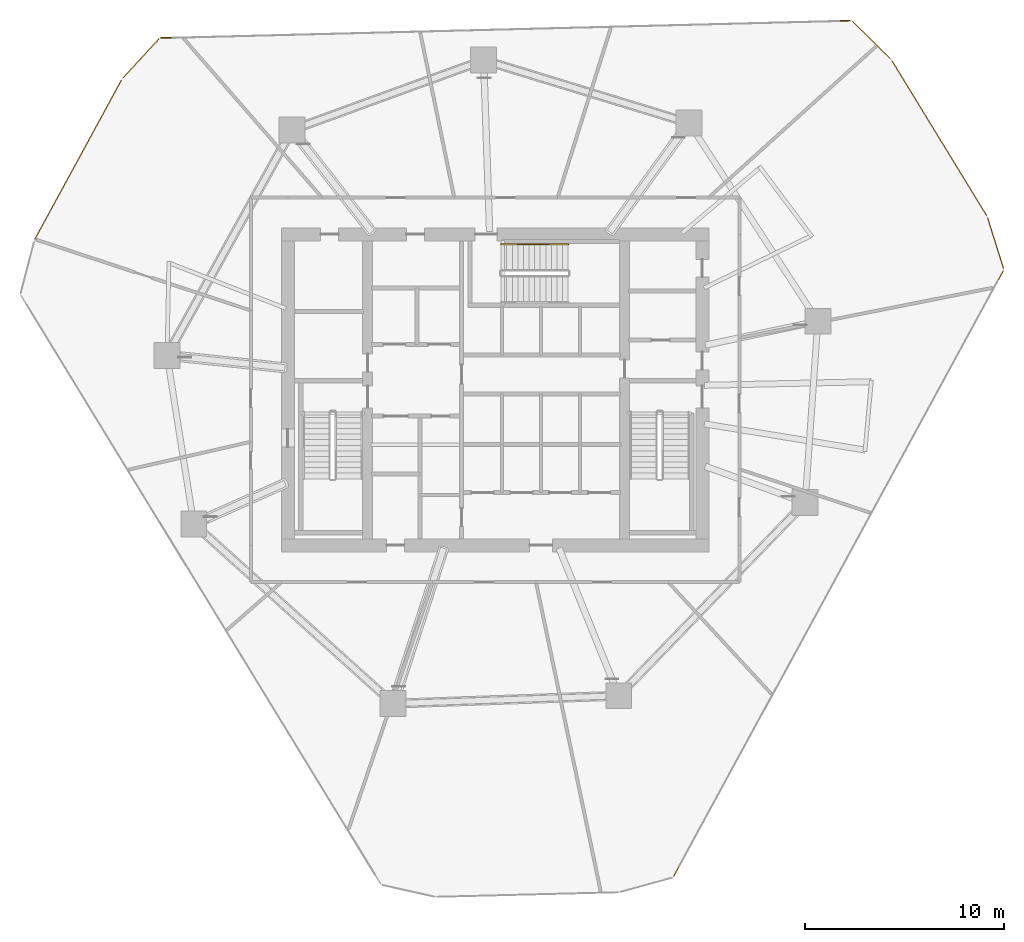
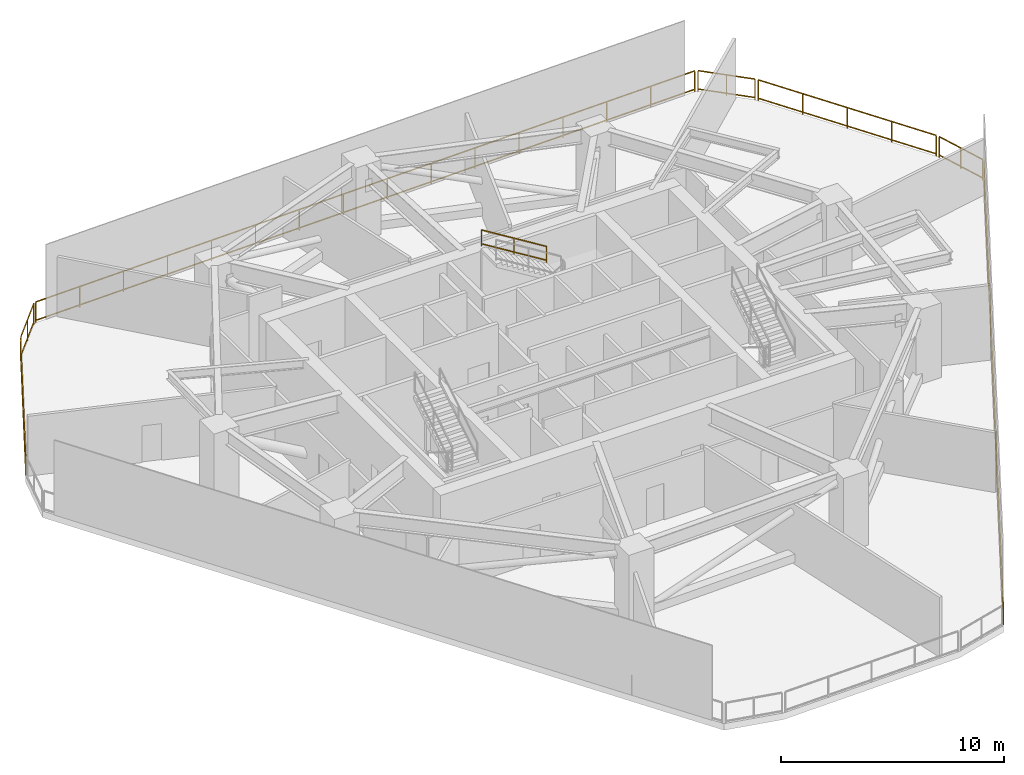
# One storey, part 7 of 7: 8 railings.
"""IFC4 building model written with IfcOpenShell, lengths in metres."""

from ifc_helpers import new_model, si_unit, direction, frame, origin, origin_2d, place, context, subcontext, project, spatial, rectangle, extrude, material, type_object, element, save


model = new_model("IFC4")

# Units and contexts
model_context = context("Model", 3, precision=1e-05, world=origin(), true_north=direction((0.0, 1.0)))
body_context = subcontext(model_context, "Body", "Model", "MODEL_VIEW")
ifc_project = project(units=[si_unit("LENGTHUNIT", "METRE"), si_unit("AREAUNIT", "SQUARE_METRE"), si_unit("VOLUMEUNIT", "CUBIC_METRE"), si_unit("PLANEANGLEUNIT", "RADIAN"), si_unit("MASSUNIT", "GRAM", prefix="KILO")], contexts=[model_context])

# Site, building, storey
site_placement = place(None, origin())
site = spatial("IfcSite", under=ifc_project, at=site_placement, CompositionType="ELEMENT")
building_placement = place(site_placement, origin())
building = spatial("IfcBuilding", under=site, at=building_placement, Name="Qarnah Convention Tower", CompositionType="ELEMENT")
storey_placement = place(building_placement, frame((0.0, 0.0, 71.85009765625)))
storey = spatial("IfcBuildingStorey", under=building, at=storey_placement, Name="L18", CompositionType="ELEMENT", Elevation=71.85009765625)

# Railings
ifc_material_1 = material(Name="Black anodised aluminium", Category="aluminium")
railing_type_1 = type_object("IfcRailingType", Name="RL-EXT-GUARD-1150", PredefinedType="GUARDRAIL", material=ifc_material_1)
railing_1_placement = place(storey_placement, frame((57.1201171875, 42.89990234375, 0.0)))
element("IfcRailing", 1, at=railing_1_placement, inside=storey, type_object=railing_type_1, Name="L18 open refuge and plant deck perimeter guard 01", PredefinedType="GUARDRAIL", context=body_context, shape_type="SweptSolid", body=[
    extrude(rectangle(XDim=0.048095703125, YDim=0.048095703125, at=origin_2d()), frame((0.0, 0.0, 1.1259765625), z_axis=(0.521589486203, -0.853196582203, 0.0), x_axis=(0.853196582203, 0.521589486203, 0.0)), (0.0, 0.0, 1.0), 9.062255859375),
    extrude(rectangle(XDim=0.048095703125, YDim=0.048095703125, at=origin_2d()), frame((0.0, 0.0, 0.1201171875), z_axis=(0.521589486203, -0.853196582203, 0.0), x_axis=(0.853196582203, 0.521589486203, 0.0)), (0.0, 0.0, 1.0), 9.062255859375),
    extrude(rectangle(XDim=0.0419921875, YDim=0.0419921875, at=origin_2d()), origin(), (0.0, 0.0, 1.0), 1.101806640625),
    extrude(rectangle(XDim=0.0419921875, YDim=0.0419921875, at=origin_2d()), frame((1.181640625, -1.93310546875, 0.0)), (0.0, 0.0, 1.0), 1.101806640625),
    extrude(rectangle(XDim=0.0419921875, YDim=0.0419921875, at=origin_2d()), frame((2.36328125, -3.865966796875, 0.0)), (0.0, 0.0, 1.0), 1.101806640625),
    extrude(rectangle(XDim=0.0419921875, YDim=0.0419921875, at=origin_2d()), frame((3.545166015625, -5.798828125, 0.0)), (0.0, 0.0, 1.0), 1.101806640625),
    extrude(rectangle(XDim=0.0419921875, YDim=0.0419921875, at=origin_2d()), frame((4.726806640625, -7.73193359375, 0.0)), (0.0, 0.0, 1.0), 1.101806640625),
])
railing_2_placement = place(storey_placement, frame((61.9130859375, 35.02392578125, 0.0)))
element("IfcRailing", 2, at=railing_2_placement, inside=storey, type_object=railing_type_1, Name="L18 open refuge and plant deck perimeter guard 02", PredefinedType="GUARDRAIL", context=body_context, shape_type="SweptSolid", body=[
    extrude(rectangle(XDim=0.048095703125, YDim=0.048095703125, at=origin_2d()), frame((0.0, 0.0, 1.1259765625), z_axis=(0.299590956419, -0.954067743314, 0.0), x_axis=(0.954067743314, 0.299590956419, 0.0)), (0.0, 0.0, 1.0), 2.640380859375),
    extrude(rectangle(XDim=0.048095703125, YDim=0.048095703125, at=origin_2d()), frame((0.0, 0.0, 0.1201171875), z_axis=(0.299590956419, -0.954067743314, 0.0), x_axis=(0.954067743314, 0.299590956419, 0.0)), (0.0, 0.0, 1.0), 2.640380859375),
    extrude(rectangle(XDim=0.0419921875, YDim=0.0419921875, at=origin_2d()), origin(), (0.0, 0.0, 1.0), 1.101806640625),
    extrude(rectangle(XDim=0.0419921875, YDim=0.0419921875, at=origin_2d()), frame((0.3955078125, -1.259521484375, 0.0)), (0.0, 0.0, 1.0), 1.101806640625),
    extrude(rectangle(XDim=0.0419921875, YDim=0.0419921875, at=origin_2d()), frame((0.791015625, -2.51904296875, 0.0)), (0.0, 0.0, 1.0), 1.101806640625),
])
railing_3_placement = place(storey_placement, frame((62.68994140625, 32.35888671875, 0.0)))
element("IfcRailing", 3, at=railing_3_placement, inside=storey, type_object=railing_type_1, Name="L18 open refuge and plant deck perimeter guard 03", PredefinedType="GUARDRAIL", context=body_context, shape_type="SweptSolid", body=[
    extrude(rectangle(XDim=0.048095703125, YDim=0.048095703125, at=origin_2d()), frame((0.0, 0.0, 1.1259765625), z_axis=(-0.478074907147, -0.878319066829, 0.0), x_axis=(0.878319066829, -0.478074907147, 0.0)), (0.0, 0.0, 1.0), 34.5615234375),
    extrude(rectangle(XDim=0.048095703125, YDim=0.048095703125, at=origin_2d()), frame((0.0, 0.0, 0.1201171875), z_axis=(-0.478074907147, -0.878319066829, 0.0), x_axis=(0.878319066829, -0.478074907147, 0.0)), (0.0, 0.0, 1.0), 34.5615234375),
    extrude(rectangle(XDim=0.0419921875, YDim=0.0419921875, at=origin_2d()), origin(), (0.0, 0.0, 1.0), 1.101806640625),
    extrude(rectangle(XDim=0.0419921875, YDim=0.0419921875, at=origin_2d()), frame((-1.1015625, -2.023681640625, 0.0)), (0.0, 0.0, 1.0), 1.101806640625),
    extrude(rectangle(XDim=0.0419921875, YDim=0.0419921875, at=origin_2d()), frame((-2.203125, -4.04736328125, 0.0)), (0.0, 0.0, 1.0), 1.101806640625),
    extrude(rectangle(XDim=0.0419921875, YDim=0.0419921875, at=origin_2d()), frame((-3.3046875, -6.0712890625, 0.0)), (0.0, 0.0, 1.0), 1.101806640625),
    extrude(rectangle(XDim=0.0419921875, YDim=0.0419921875, at=origin_2d()), frame((-4.406005859375, -8.094970703125, 0.0)), (0.0, 0.0, 1.0), 1.101806640625),
    extrude(rectangle(XDim=0.0419921875, YDim=0.0419921875, at=origin_2d()), frame((-5.507568359375, -10.11865234375, 0.0)), (0.0, 0.0, 1.0), 1.101806640625),
    extrude(rectangle(XDim=0.0419921875, YDim=0.0419921875, at=origin_2d()), frame((-6.609130859375, -12.142333984375, 0.0)), (0.0, 0.0, 1.0), 1.101806640625),
    extrude(rectangle(XDim=0.0419921875, YDim=0.0419921875, at=origin_2d()), frame((-7.710693359375, -14.166015625, 0.0)), (0.0, 0.0, 1.0), 1.101806640625),
    extrude(rectangle(XDim=0.0419921875, YDim=0.0419921875, at=origin_2d()), frame((-8.812255859375, -16.18994140625, 0.0)), (0.0, 0.0, 1.0), 1.101806640625),
    extrude(rectangle(XDim=0.0419921875, YDim=0.0419921875, at=origin_2d()), frame((-9.913818359375, -18.213623046875, 0.0)), (0.0, 0.0, 1.0), 1.101806640625),
    extrude(rectangle(XDim=0.0419921875, YDim=0.0419921875, at=origin_2d()), frame((-11.015380859375, -20.2373046875, 0.0)), (0.0, 0.0, 1.0), 1.101806640625),
    extrude(rectangle(XDim=0.0419921875, YDim=0.0419921875, at=origin_2d()), frame((-12.116943359375, -22.260986328125, 0.0)), (0.0, 0.0, 1.0), 1.101806640625),
    extrude(rectangle(XDim=0.0419921875, YDim=0.0419921875, at=origin_2d()), frame((-13.21826171875, -24.28466796875, 0.0)), (0.0, 0.0, 1.0), 1.101806640625),
    extrude(rectangle(XDim=0.0419921875, YDim=0.0419921875, at=origin_2d()), frame((-14.31982421875, -26.30859375, 0.0)), (0.0, 0.0, 1.0), 1.101806640625),
    extrude(rectangle(XDim=0.0419921875, YDim=0.0419921875, at=origin_2d()), frame((-15.42138671875, -28.332275390625, 0.0)), (0.0, 0.0, 1.0), 1.101806640625),
    extrude(rectangle(XDim=0.0419921875, YDim=0.0419921875, at=origin_2d()), frame((-16.52294921875, -30.35595703125, 0.0)), (0.0, 0.0, 1.0), 1.101806640625),
])
railing_4_placement = place(storey_placement, frame((14.10888671875, 33.968017578125, 0.0)))
element("IfcRailing", 4, at=railing_4_placement, inside=storey, type_object=railing_type_1, Name="L18 open refuge and plant deck perimeter guard 09", PredefinedType="GUARDRAIL", context=body_context, shape_type="SweptSolid", body=[
    extrude(rectangle(XDim=0.048095703125, YDim=0.048095703125, at=origin_2d()), frame((0.0, 0.0, 1.1259765625), z_axis=(0.478104542379, 0.878302935527, 0.0), x_axis=(-0.878302935527, 0.478104542379, 0.0)), (0.0, 0.0, 1.0), 9.06298828125),
    extrude(rectangle(XDim=0.048095703125, YDim=0.048095703125, at=origin_2d()), frame((0.0, 0.0, 0.1201171875), z_axis=(0.478104542379, 0.878302935527, 0.0), x_axis=(-0.878302935527, 0.478104542379, 0.0)), (0.0, 0.0, 1.0), 9.06298828125),
    extrude(rectangle(XDim=0.0419921875, YDim=0.0419921875, at=origin_2d()), origin(), (0.0, 0.0, 1.0), 1.101806640625),
    extrude(rectangle(XDim=0.0419921875, YDim=0.0419921875, at=origin_2d()), frame((1.083251953125, 1.989990234375, 0.0)), (0.0, 0.0, 1.0), 1.101806640625),
    extrude(rectangle(XDim=0.0419921875, YDim=0.0419921875, at=origin_2d()), frame((2.16650390625, 3.97998046875, 0.0)), (0.0, 0.0, 1.0), 1.101806640625),
    extrude(rectangle(XDim=0.0419921875, YDim=0.0419921875, at=origin_2d()), frame((3.249755859375, 5.969970703125, 0.0)), (0.0, 0.0, 1.0), 1.101806640625),
    extrude(rectangle(XDim=0.0419921875, YDim=0.0419921875, at=origin_2d()), frame((4.3330078125, 7.9599609375, 0.0)), (0.0, 0.0, 1.0), 1.101806640625),
])
railing_5_placement = place(storey_placement, frame((18.533935546875, 42.056884765625, 0.0)))
element("IfcRailing", 5, at=railing_5_placement, inside=storey, type_object=railing_type_1, Name="L18 open refuge and plant deck perimeter guard 10", PredefinedType="GUARDRAIL", context=body_context, shape_type="SweptSolid", body=[
    extrude(rectangle(XDim=0.048095703125, YDim=0.048095703125, at=origin_2d()), frame((0.0, 0.0, 1.1259765625), z_axis=(0.676557531473, 0.736389778994, 0.0), x_axis=(-0.736389778994, 0.676557531473, 0.0)), (0.0, 0.0, 1.0), 2.64013671875),
    extrude(rectangle(XDim=0.048095703125, YDim=0.048095703125, at=origin_2d()), frame((0.0, 0.0, 0.1201171875), z_axis=(0.676557531473, 0.736389778994, 0.0), x_axis=(-0.736389778994, 0.676557531473, 0.0)), (0.0, 0.0, 1.0), 2.64013671875),
    extrude(rectangle(XDim=0.0419921875, YDim=0.0419921875, at=origin_2d()), origin(), (0.0, 0.0, 1.0), 1.101806640625),
    extrude(rectangle(XDim=0.0419921875, YDim=0.0419921875, at=origin_2d()), frame((0.89306640625, 0.97216796875, 0.0)), (0.0, 0.0, 1.0), 1.101806640625),
    extrude(rectangle(XDim=0.0419921875, YDim=0.0419921875, at=origin_2d()), frame((1.7861328125, 1.944091796875, 0.0)), (0.0, 0.0, 1.0), 1.101806640625),
])
railing_6_placement = place(storey_placement, frame((20.4541015625, 44.06201171875, 0.0)))
element("IfcRailing", 6, at=railing_6_placement, inside=storey, type_object=railing_type_1, Name="L18 open refuge and plant deck perimeter guard 11", PredefinedType="GUARDRAIL", context=body_context, shape_type="SweptSolid", body=[
    extrude(rectangle(XDim=0.048095703125, YDim=0.048095703125, at=origin_2d()), frame((0.0, 0.0, 1.1259765625), z_axis=(0.999683893461, 0.025141860597, 0.0), x_axis=(-0.025141860597, 0.999683893461, 0.0)), (0.0, 0.0, 1.0), 34.559814453125),
    extrude(rectangle(XDim=0.048095703125, YDim=0.048095703125, at=origin_2d()), frame((0.0, 0.0, 0.1201171875), z_axis=(0.999683893461, 0.025141860597, 0.0), x_axis=(-0.025141860597, 0.999683893461, 0.0)), (0.0, 0.0, 1.0), 34.559814453125),
    extrude(rectangle(XDim=0.0419921875, YDim=0.0419921875, at=origin_2d()), origin(), (0.0, 0.0, 1.0), 1.101806640625),
    extrude(rectangle(XDim=0.0419921875, YDim=0.0419921875, at=origin_2d()), frame((2.30322265625, 0.057861328125, 0.0)), (0.0, 0.0, 1.0), 1.101806640625),
    extrude(rectangle(XDim=0.0419921875, YDim=0.0419921875, at=origin_2d()), frame((4.6064453125, 0.115966796875, 0.0)), (0.0, 0.0, 1.0), 1.101806640625),
    extrude(rectangle(XDim=0.0419921875, YDim=0.0419921875, at=origin_2d()), frame((6.90966796875, 0.173828125, 0.0)), (0.0, 0.0, 1.0), 1.101806640625),
    extrude(rectangle(XDim=0.0419921875, YDim=0.0419921875, at=origin_2d()), frame((9.213134765625, 0.231689453125, 0.0)), (0.0, 0.0, 1.0), 1.101806640625),
    extrude(rectangle(XDim=0.0419921875, YDim=0.0419921875, at=origin_2d()), frame((11.516357421875, 0.28955078125, 0.0)), (0.0, 0.0, 1.0), 1.101806640625),
    extrude(rectangle(XDim=0.0419921875, YDim=0.0419921875, at=origin_2d()), frame((13.819580078125, 0.34765625, 0.0)), (0.0, 0.0, 1.0), 1.101806640625),
    extrude(rectangle(XDim=0.0419921875, YDim=0.0419921875, at=origin_2d()), frame((16.122802734375, 0.405517578125, 0.0)), (0.0, 0.0, 1.0), 1.101806640625),
    extrude(rectangle(XDim=0.0419921875, YDim=0.0419921875, at=origin_2d()), frame((18.426025390625, 0.46337890625, 0.0)), (0.0, 0.0, 1.0), 1.101806640625),
    extrude(rectangle(XDim=0.0419921875, YDim=0.0419921875, at=origin_2d()), frame((20.729248046875, 0.521240234375, 0.0)), (0.0, 0.0, 1.0), 1.101806640625),
    extrude(rectangle(XDim=0.0419921875, YDim=0.0419921875, at=origin_2d()), frame((23.032470703125, 0.579345703125, 0.0)), (0.0, 0.0, 1.0), 1.101806640625),
    extrude(rectangle(XDim=0.0419921875, YDim=0.0419921875, at=origin_2d()), frame((25.335693359375, 0.63720703125, 0.0)), (0.0, 0.0, 1.0), 1.101806640625),
    extrude(rectangle(XDim=0.0419921875, YDim=0.0419921875, at=origin_2d()), frame((27.63916015625, 0.695068359375, 0.0)), (0.0, 0.0, 1.0), 1.101806640625),
    extrude(rectangle(XDim=0.0419921875, YDim=0.0419921875, at=origin_2d()), frame((29.9423828125, 0.7529296875, 0.0)), (0.0, 0.0, 1.0), 1.101806640625),
    extrude(rectangle(XDim=0.0419921875, YDim=0.0419921875, at=origin_2d()), frame((32.24560546875, 0.81103515625, 0.0)), (0.0, 0.0, 1.0), 1.101806640625),
    extrude(rectangle(XDim=0.0419921875, YDim=0.0419921875, at=origin_2d()), frame((34.548828125, 0.868896484375, 0.0)), (0.0, 0.0, 1.0), 1.101806640625),
])
railing_7_placement = place(storey_placement, frame((55.139892578125, 44.876953125, 0.0)))
element("IfcRailing", 7, at=railing_7_placement, inside=storey, type_object=railing_type_1, Name="L18 open refuge and plant deck perimeter guard 12", PredefinedType="GUARDRAIL", context=body_context, shape_type="SweptSolid", body=[
    extrude(rectangle(XDim=0.048095703125, YDim=0.048095703125, at=origin_2d()), frame((0.0, 0.0, 1.1259765625), z_axis=(0.712403236911, -0.701770352778, 0.0), x_axis=(0.701770352778, 0.712403236911, 0.0)), (0.0, 0.0, 1.0), 2.640625),
    extrude(rectangle(XDim=0.048095703125, YDim=0.048095703125, at=origin_2d()), frame((0.0, 0.0, 0.1201171875), z_axis=(0.712403236911, -0.701770352778, 0.0), x_axis=(0.701770352778, 0.712403236911, 0.0)), (0.0, 0.0, 1.0), 2.640625),
    extrude(rectangle(XDim=0.0419921875, YDim=0.0419921875, at=origin_2d()), origin(), (0.0, 0.0, 1.0), 1.101806640625),
    extrude(rectangle(XDim=0.0419921875, YDim=0.0419921875, at=origin_2d()), frame((0.9404296875, -0.926513671875, 0.0)), (0.0, 0.0, 1.0), 1.101806640625),
    extrude(rectangle(XDim=0.0419921875, YDim=0.0419921875, at=origin_2d()), frame((1.881103515625, -1.85302734375, 0.0)), (0.0, 0.0, 1.0), 1.101806640625),
])
ifc_material_2 = material(Name="Structural steel S355JR", Category="steel")
railing_type_2 = type_object("IfcRailingType", Name="RL-STAIR-HAND-900", PredefinedType="HANDRAIL", material=ifc_material_2)
railing_8_placement = place(storey_placement, frame((40.860107421875, 33.699951171875, 2.423095703125)))
element("IfcRailing", 8, at=railing_8_placement, inside=storey, type_object=railing_type_2, Name="L18 ST-3 stair handrail 2", PredefinedType="HANDRAIL", context=body_context, shape_type="SweptSolid", body=[
    extrude(rectangle(XDim=0.048095703125, YDim=0.048095703125, at=origin_2d()), frame((0.0, 0.0, 0.8759765625), z_axis=(-0.850623216509, 0.0, 0.525775754039), x_axis=(0.0, -1.0, 0.0)), (0.0, 0.0, 1.0), 3.9501953125),
    extrude(rectangle(XDim=0.048095703125, YDim=0.048095703125, at=origin_2d()), frame((0.0, 0.0, 0.1201171875), z_axis=(-0.850623216509, 0.0, 0.525775754039), x_axis=(0.0, -1.0, 0.0)), (0.0, 0.0, 1.0), 3.9501953125),
    extrude(rectangle(XDim=0.0419921875, YDim=0.0419921875, at=origin_2d()), origin(), (0.0, 0.0, 1.0), 0.851806640625),
    extrude(rectangle(XDim=0.0419921875, YDim=0.0419921875, at=origin_2d()), frame((-1.68017578125, 0.0, 1.03857421875)), (0.0, 0.0, 1.0), 0.851806640625),
    extrude(rectangle(XDim=0.0419921875, YDim=0.0419921875, at=origin_2d()), frame((-3.360107421875, 0.0, 2.076904296875)), (0.0, 0.0, 1.0), 0.851806640625),
])

save(model, "model.ifc")
